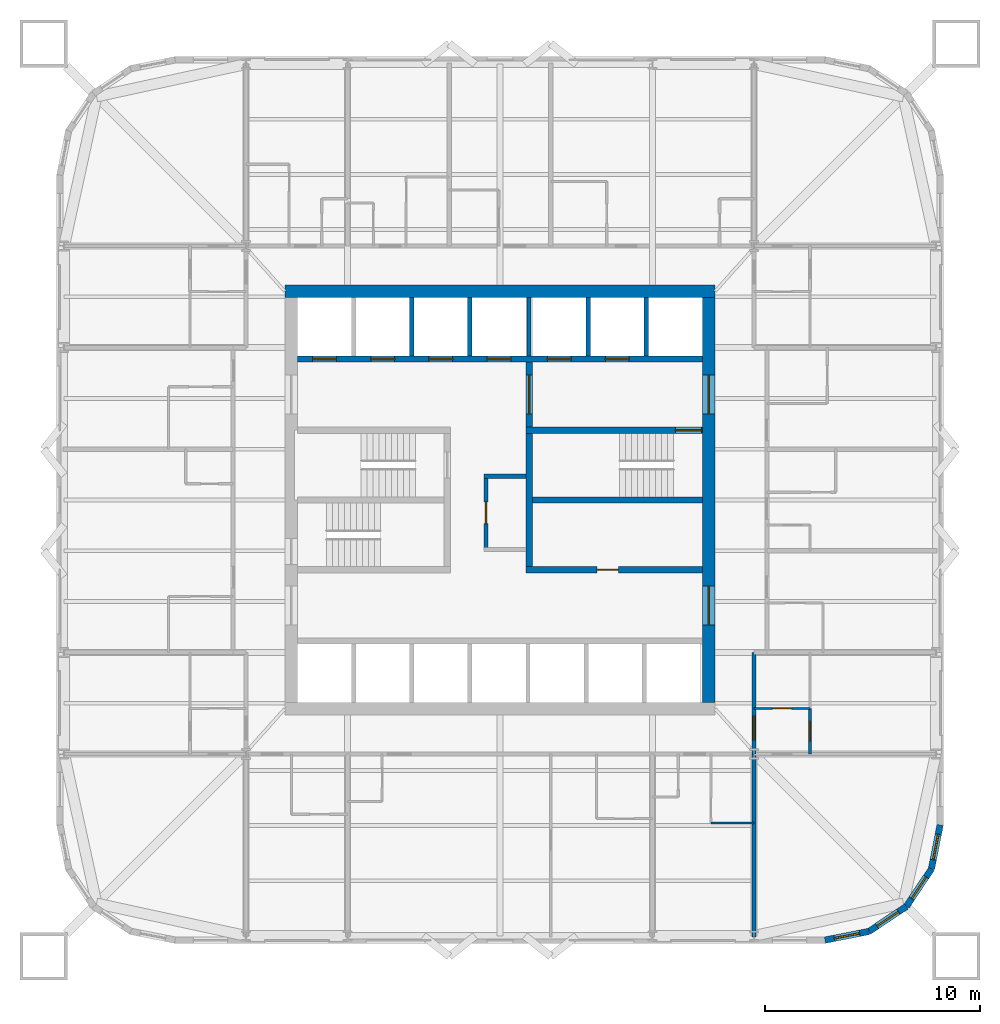
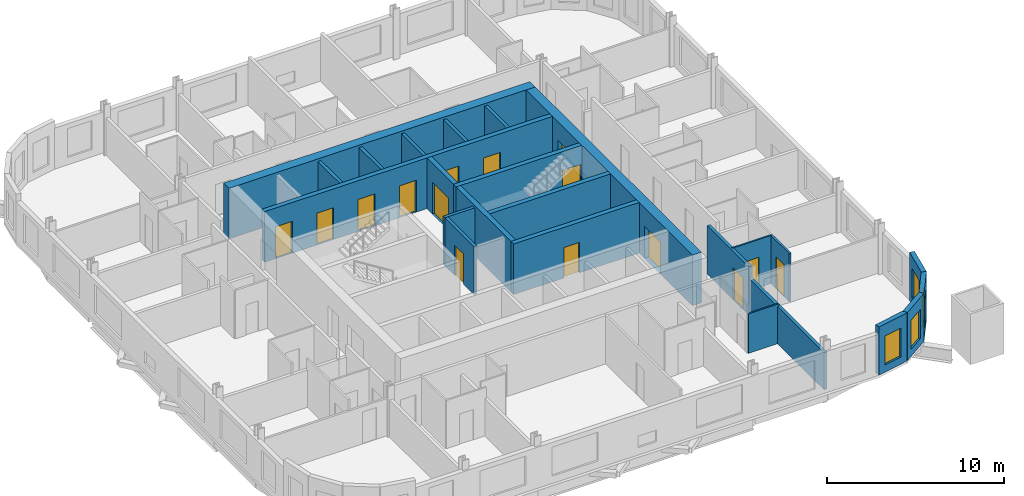
# One storey, part 5 of 9: 23 walls, 15 doors, 4 windows, 19 openings.
"""IFC4 building model written with IfcOpenShell, lengths in metres."""

from ifc_helpers import new_model, si_unit, direction, frame, frame_2d, origin, place, context, subcontext, project, spatial, rectangle, extrude, material, layer, layer_set, type_object, element, fill, save


model = new_model("IFC4")

# Units and contexts
model_context = context("Model", 3, precision=1e-05, world=origin(), true_north=direction((0.0, 1.0)))
body_context = subcontext(model_context, "Body", "Model", "MODEL_VIEW")
ifc_project = project(units=[si_unit("LENGTHUNIT", "METRE"), si_unit("AREAUNIT", "SQUARE_METRE"), si_unit("VOLUMEUNIT", "CUBIC_METRE"), si_unit("PLANEANGLEUNIT", "RADIAN"), si_unit("MASSUNIT", "GRAM", prefix="KILO")], contexts=[model_context])

# Site, building, storey
site_placement = place(None, origin())
site = spatial("IfcSite", under=ifc_project, at=site_placement, CompositionType="ELEMENT")
building_placement = place(site_placement, origin())
building = spatial("IfcBuilding", under=site, at=building_placement, Name="Turquesa Mirador Hotel Tower", CompositionType="ELEMENT")
storey_placement = place(building_placement, frame((0.0, 0.0, 121.39990234375)))
storey = spatial("IfcBuildingStorey", under=building, at=storey_placement, Name="L32", CompositionType="ELEMENT", Elevation=121.39990234375)

# Wall
ifc_material_1 = material(Name="Gypsum board on steel studs", Category="steel")
ifc_layer_1 = layer(ifc_material_1, 0.10009765625)
ifc_layer_set_1 = layer_set([ifc_layer_1], Name="BATHROOM WALL 100")
wall_type_1 = type_object("IfcWallType", Name="BATHROOM WALL 100", PredefinedType="PARTITIONING", material=ifc_layer_set_1)
wall_1_placement = place(storey_placement, frame((64.800048828125, 30.0, 0.0), z_axis=(0.0, 0.0, 1.0), x_axis=(1.0, 0.0, 0.0)))
element("IfcWall", 1, at=wall_1_placement, inside=storey, type_object=wall_type_1, Name="Partition L32 009", PredefinedType="PARTITIONING", context=body_context, shape_type="SweptSolid", body=[
    extrude(rectangle(XDim=2.0, YDim=0.10009765625, at=frame_2d((1.0, 0.0))), origin(), (0.0, 0.0, 1.0), 2.730712890625),
])

# Wall, opening, door
wall_2_placement = place(storey_placement, frame((66.800048828125, 35.320068359375, 0.0), z_axis=(0.0, 0.0, 1.0), x_axis=(1.0, 0.0, 0.0)))
wall_2 = element("IfcWall", 2, at=wall_2_placement, inside=storey, type_object=wall_type_1, Name="Partition L32 018", PredefinedType="PARTITIONING", context=body_context, shape_type="SweptSolid", body=[
    extrude(rectangle(XDim=2.599853515625, YDim=0.10009765625, at=frame_2d((1.2998046875, 0.0))), origin(), (0.0, 0.0, 1.0), 3.330078125),
])
opening_1_placement = place(wall_2_placement, frame((0.85009765625, 0.0, 0.0)))
opening_1 = element("IfcOpeningElement", 3, at=opening_1_placement, cuts=wall_2, Name="Opening D02", PredefinedType="OPENING", context=body_context, shape_type="SweptSolid", body=[
    extrude(rectangle(XDim=0.89990234375, YDim=2.10009765625, at=frame_2d((0.449951171875, 1.050048828125))), frame((0.0, 0.06005859375, 0.0), z_axis=(0.0, -1.0, 0.0), x_axis=(1.0, 0.0, 0.0)), (0.0, 0.0, 1.0), 0.1201171875),
])
ifc_material_2 = material(Name="Timber veneered door", Category="wood")
door_type_1 = type_object("IfcDoorType", Name="DOOR 900X2100 EN-SUITE", OperationType="SINGLE_SWING_RIGHT", PredefinedType="DOOR", material=ifc_material_2)
door_1_placement = place(opening_1_placement, origin())
door_1 = element("IfcDoor", 4, at=door_1_placement, inside=storey, type_object=door_type_1, Name="Door 3216B", OperationType="SINGLE_SWING_RIGHT", OverallHeight=2.10009765625, OverallWidth=0.89990234375, PredefinedType="DOOR", context=body_context, shape_type="SweptSolid", body=[
    extrude(rectangle(XDim=0.89990234375, YDim=2.10009765625, at=frame_2d((0.449951171875, 1.050048828125))), frame((0.0, 0.02490234375, 0.0), z_axis=(0.0, -1.0, 0.0), x_axis=(1.0, 0.0, 0.0)), (0.0, 0.0, 1.0), 0.050048828125),
])
fill(opening_1, door_1)

# Wall, openings, doors
ifc_material_3 = material(Name="Concrete C50/60", Category="concrete")
ifc_layer_2 = layer(ifc_material_3, 0.300048828125)
ifc_layer_set_2 = layer_set([ifc_layer_2], Name="CORE INNER WALL 300")
wall_type_2 = type_object("IfcWallType", Name="CORE INNER WALL 300", PredefinedType="SHEAR", material=ifc_layer_set_2)
wall_3_placement = place(storey_placement, frame((45.60009765625, 51.550048828125, 0.0), z_axis=(0.0, 0.0, 1.0), x_axis=(1.0, 0.0, 0.0)))
wall_3 = element("IfcWall", 5, at=wall_3_placement, inside=storey, type_object=wall_type_2, Name="Core wall NL", PredefinedType="SHEAR", context=body_context, shape_type="SweptSolid", body=[
    extrude(rectangle(XDim=18.7998046875, YDim=0.300048828125, at=frame_2d((9.39990234375, 0.0))), origin(), (0.0, 0.0, 1.0), 3.5),
])
opening_2_placement = place(wall_3_placement, frame((0.699951171875, 0.0, 0.0)))
opening_2 = element("IfcOpeningElement", 6, at=opening_2_placement, cuts=wall_3, Name="Opening LD", PredefinedType="OPENING", context=body_context, shape_type="SweptSolid", body=[
    extrude(rectangle(XDim=1.10009765625, YDim=2.199951171875, at=frame_2d((0.550048828125, 1.10009765625))), frame((0.0, 0.159912109375, 0.0), z_axis=(0.0, -1.0, 0.0), x_axis=(1.0, 0.0, 0.0)), (0.0, 0.0, 1.0), 0.320068359375),
])
opening_3_placement = place(wall_3_placement, frame((3.39990234375, 0.0, 0.0)))
opening_3 = element("IfcOpeningElement", 7, at=opening_3_placement, cuts=wall_3, Name="Opening LD", PredefinedType="OPENING", context=body_context, shape_type="SweptSolid", body=[
    extrude(rectangle(XDim=1.10009765625, YDim=2.199951171875, at=frame_2d((0.550048828125, 1.10009765625))), frame((0.0, 0.159912109375, 0.0), z_axis=(0.0, -1.0, 0.0), x_axis=(1.0, 0.0, 0.0)), (0.0, 0.0, 1.0), 0.320068359375),
])
opening_4_placement = place(wall_3_placement, frame((6.10009765625, 0.0, 0.0)))
opening_4 = element("IfcOpeningElement", 8, at=opening_4_placement, cuts=wall_3, Name="Opening LD", PredefinedType="OPENING", context=body_context, shape_type="SweptSolid", body=[
    extrude(rectangle(XDim=1.10009765625, YDim=2.199951171875, at=frame_2d((0.550048828125, 1.10009765625))), frame((0.0, 0.159912109375, 0.0), z_axis=(0.0, -1.0, 0.0), x_axis=(1.0, 0.0, 0.0)), (0.0, 0.0, 1.0), 0.320068359375),
])
opening_5_placement = place(wall_3_placement, frame((8.800048828125, 0.0, 0.0)))
opening_5 = element("IfcOpeningElement", 9, at=opening_5_placement, cuts=wall_3, Name="Opening LD", PredefinedType="OPENING", context=body_context, shape_type="SweptSolid", body=[
    extrude(rectangle(XDim=1.10009765625, YDim=2.199951171875, at=frame_2d((0.550048828125, 1.10009765625))), frame((0.0, 0.159912109375, 0.0), z_axis=(0.0, -1.0, 0.0), x_axis=(1.0, 0.0, 0.0)), (0.0, 0.0, 1.0), 0.320068359375),
])
opening_6_placement = place(wall_3_placement, frame((11.60009765625, 0.0, 0.0)))
opening_6 = element("IfcOpeningElement", 10, at=opening_6_placement, cuts=wall_3, Name="Opening LD", PredefinedType="OPENING", context=body_context, shape_type="SweptSolid", body=[
    extrude(rectangle(XDim=1.10009765625, YDim=2.199951171875, at=frame_2d((0.550048828125, 1.10009765625))), frame((0.0, 0.159912109375, 0.0), z_axis=(0.0, -1.0, 0.0), x_axis=(1.0, 0.0, 0.0)), (0.0, 0.0, 1.0), 0.320068359375),
])
opening_7_placement = place(wall_3_placement, frame((14.300048828125, 0.0, 0.0)))
opening_7 = element("IfcOpeningElement", 11, at=opening_7_placement, cuts=wall_3, Name="Opening LD", PredefinedType="OPENING", context=body_context, shape_type="SweptSolid", body=[
    extrude(rectangle(XDim=1.10009765625, YDim=2.199951171875, at=frame_2d((0.550048828125, 1.10009765625))), frame((0.0, 0.159912109375, 0.0), z_axis=(0.0, -1.0, 0.0), x_axis=(1.0, 0.0, 0.0)), (0.0, 0.0, 1.0), 0.320068359375),
])
ifc_material_4 = material(Name="Stainless steel lift landing door", Category="steel")
door_type_2 = type_object("IfcDoorType", Name="LIFT LANDING DOOR 1100X2200", OperationType="SLIDING_TO_LEFT", PredefinedType="DOOR", material=ifc_material_4)
door_2_placement = place(opening_2_placement, origin())
door_2 = element("IfcDoor", 12, at=door_2_placement, inside=storey, type_object=door_type_2, Name="Lift A1 landing door", OperationType="SLIDING_TO_LEFT", OverallHeight=2.199951171875, OverallWidth=1.10009765625, PredefinedType="DOOR", context=body_context, shape_type="SweptSolid", body=[
    extrude(rectangle(XDim=1.10009765625, YDim=2.199951171875, at=frame_2d((0.550048828125, 1.10009765625))), frame((0.0, 0.02490234375, 0.0), z_axis=(0.0, -1.0, 0.0), x_axis=(1.0, 0.0, 0.0)), (0.0, 0.0, 1.0), 0.050048828125),
])
fill(opening_2, door_2)
door_3_placement = place(opening_3_placement, origin())
door_3 = element("IfcDoor", 13, at=door_3_placement, inside=storey, type_object=door_type_2, Name="Lift A2 landing door", OperationType="SLIDING_TO_LEFT", OverallHeight=2.199951171875, OverallWidth=1.10009765625, PredefinedType="DOOR", context=body_context, shape_type="SweptSolid", body=[
    extrude(rectangle(XDim=1.10009765625, YDim=2.199951171875, at=frame_2d((0.550048828125, 1.10009765625))), frame((0.0, 0.02490234375, 0.0), z_axis=(0.0, -1.0, 0.0), x_axis=(1.0, 0.0, 0.0)), (0.0, 0.0, 1.0), 0.050048828125),
])
fill(opening_3, door_3)
door_4_placement = place(opening_4_placement, origin())
door_4 = element("IfcDoor", 14, at=door_4_placement, inside=storey, type_object=door_type_2, Name="Lift A3 landing door", OperationType="SLIDING_TO_LEFT", OverallHeight=2.199951171875, OverallWidth=1.10009765625, PredefinedType="DOOR", context=body_context, shape_type="SweptSolid", body=[
    extrude(rectangle(XDim=1.10009765625, YDim=2.199951171875, at=frame_2d((0.550048828125, 1.10009765625))), frame((0.0, 0.02490234375, 0.0), z_axis=(0.0, -1.0, 0.0), x_axis=(1.0, 0.0, 0.0)), (0.0, 0.0, 1.0), 0.050048828125),
])
fill(opening_4, door_4)
door_5_placement = place(opening_5_placement, origin())
door_5 = element("IfcDoor", 15, at=door_5_placement, inside=storey, type_object=door_type_2, Name="Lift A4 landing door", OperationType="SLIDING_TO_LEFT", OverallHeight=2.199951171875, OverallWidth=1.10009765625, PredefinedType="DOOR", context=body_context, shape_type="SweptSolid", body=[
    extrude(rectangle(XDim=1.10009765625, YDim=2.199951171875, at=frame_2d((0.550048828125, 1.10009765625))), frame((0.0, 0.02490234375, 0.0), z_axis=(0.0, -1.0, 0.0), x_axis=(1.0, 0.0, 0.0)), (0.0, 0.0, 1.0), 0.050048828125),
])
fill(opening_5, door_5)
door_6_placement = place(opening_6_placement, origin())
door_6 = element("IfcDoor", 16, at=door_6_placement, inside=storey, type_object=door_type_2, Name="Lift S1 landing door", OperationType="SLIDING_TO_LEFT", OverallHeight=2.199951171875, OverallWidth=1.10009765625, PredefinedType="DOOR", context=body_context, shape_type="SweptSolid", body=[
    extrude(rectangle(XDim=1.10009765625, YDim=2.199951171875, at=frame_2d((0.550048828125, 1.10009765625))), frame((0.0, 0.02490234375, 0.0), z_axis=(0.0, -1.0, 0.0), x_axis=(1.0, 0.0, 0.0)), (0.0, 0.0, 1.0), 0.050048828125),
])
fill(opening_6, door_6)
door_7_placement = place(opening_7_placement, origin())
door_7 = element("IfcDoor", 17, at=door_7_placement, inside=storey, type_object=door_type_2, Name="Lift S2 landing door", OperationType="SLIDING_TO_LEFT", OverallHeight=2.199951171875, OverallWidth=1.10009765625, PredefinedType="DOOR", context=body_context, shape_type="SweptSolid", body=[
    extrude(rectangle(XDim=1.10009765625, YDim=2.199951171875, at=frame_2d((0.550048828125, 1.10009765625))), frame((0.0, 0.02490234375, 0.0), z_axis=(0.0, -1.0, 0.0), x_axis=(1.0, 0.0, 0.0)), (0.0, 0.0, 1.0), 0.050048828125),
])
fill(opening_7, door_7)

# Wall, opening, door
wall_4_placement = place(storey_placement, frame((56.199951171875, 48.25, 0.0), z_axis=(0.0, 0.0, 1.0), x_axis=(1.0, 0.0, 0.0)))
wall_4 = element("IfcWall", 18, at=wall_4_placement, inside=storey, type_object=wall_type_2, Name="Core wall MN-E", PredefinedType="SHEAR", context=body_context, shape_type="SweptSolid", body=[
    extrude(rectangle(XDim=8.199951171875, YDim=0.300048828125, at=frame_2d((4.10009765625, 0.0))), origin(), (0.0, 0.0, 1.0), 3.5),
])
opening_8_placement = place(wall_4_placement, frame((6.949951171875, 0.0, 0.0)))
opening_8 = element("IfcOpeningElement", 19, at=opening_8_placement, cuts=wall_4, Name="Opening D03", PredefinedType="OPENING", context=body_context, shape_type="SweptSolid", body=[
    extrude(rectangle(XDim=1.199951171875, YDim=2.199951171875, at=frame_2d((0.60009765625, 1.10009765625))), frame((0.0, 0.159912109375, 0.0), z_axis=(0.0, -1.0, 0.0), x_axis=(1.0, 0.0, 0.0)), (0.0, 0.0, 1.0), 0.320068359375),
])
ifc_material_5 = material(Name="Steel fire door", Category="steel")
door_type_3 = type_object("IfcDoorType", Name="DOOR 1200X2200 STAIR", OperationType="SINGLE_SWING_LEFT", PredefinedType="DOOR", material=ifc_material_5)
door_8_placement = place(opening_8_placement, origin())
door_8 = element("IfcDoor", 20, at=door_8_placement, inside=storey, type_object=door_type_3, Name="Stair ST3 door", OperationType="SINGLE_SWING_LEFT", OverallHeight=2.199951171875, OverallWidth=1.199951171875, PredefinedType="DOOR", context=body_context, shape_type="SweptSolid", body=[
    extrude(rectangle(XDim=1.199951171875, YDim=2.199951171875, at=frame_2d((0.60009765625, 1.10009765625))), frame((0.0, 0.02490234375, 0.0), z_axis=(0.0, -1.0, 0.0), x_axis=(1.0, 0.0, 0.0)), (0.0, 0.0, 1.0), 0.050048828125),
])
fill(opening_8, door_8)

wall_5_placement = place(storey_placement, frame((56.199951171875, 41.75, 0.0), z_axis=(0.0, 0.0, 1.0), x_axis=(1.0, 0.0, 0.0)))
wall_5 = element("IfcWall", 21, at=wall_5_placement, inside=storey, type_object=wall_type_2, Name="Core wall MS-E", PredefinedType="SHEAR", context=body_context, shape_type="SweptSolid", body=[
    extrude(rectangle(XDim=8.199951171875, YDim=0.300048828125, at=frame_2d((4.10009765625, 0.0))), origin(), (0.0, 0.0, 1.0), 3.5),
])
opening_9_placement = place(wall_5_placement, frame((3.300048828125, 0.0, 0.0)))
opening_9 = element("IfcOpeningElement", 22, at=opening_9_placement, cuts=wall_5, Name="Opening D05", PredefinedType="OPENING", context=body_context, shape_type="SweptSolid", body=[
    extrude(rectangle(XDim=1.0, YDim=2.10009765625, at=frame_2d((0.5, 1.050048828125))), frame((0.0, 0.159912109375, 0.0), z_axis=(0.0, -1.0, 0.0), x_axis=(1.0, 0.0, 0.0)), (0.0, 0.0, 1.0), 0.320068359375),
])
ifc_material_6 = material(Name="Steel fire door", Category="steel")
door_type_4 = type_object("IfcDoorType", Name="DOOR 1000X2100 SERVICE", OperationType="SINGLE_SWING_LEFT", PredefinedType="DOOR", material=ifc_material_6)
door_9_placement = place(opening_9_placement, origin())
door_9 = element("IfcDoor", 23, at=door_9_placement, inside=storey, type_object=door_type_4, Name="Housekeeping room door", OperationType="SINGLE_SWING_LEFT", OverallHeight=2.10009765625, OverallWidth=1.0, PredefinedType="DOOR", context=body_context, shape_type="SweptSolid", body=[
    extrude(rectangle(XDim=1.0, YDim=2.10009765625, at=frame_2d((0.5, 1.050048828125))), frame((0.0, 0.02490234375, 0.0), z_axis=(0.0, -1.0, 0.0), x_axis=(1.0, 0.0, 0.0)), (0.0, 0.0, 1.0), 0.050048828125),
])
fill(opening_9, door_9)

wall_6_placement = place(storey_placement, frame((56.35009765625, 41.89990234375, 0.0), z_axis=(0.0, 0.0, 1.0), x_axis=(0.0, 1.0, 0.0)))
wall_6 = element("IfcWall", 24, at=wall_6_placement, inside=storey, type_object=wall_type_2, Name="Core wall PE", PredefinedType="SHEAR", context=body_context, shape_type="SweptSolid", body=[
    extrude(rectangle(XDim=9.5, YDim=0.300048828125, at=frame_2d((4.75, 0.0))), origin(), (0.0, 0.0, 1.0), 3.5),
])
opening_10_placement = place(wall_6_placement, frame((7.10009765625, 0.0, 0.0)))
opening_10 = element("IfcOpeningElement", 25, at=opening_10_placement, cuts=wall_6, Name="Opening D04", PredefinedType="OPENING", context=body_context, shape_type="SweptSolid", body=[
    extrude(rectangle(XDim=1.800048828125, YDim=2.199951171875, at=frame_2d((0.89990234375, 1.10009765625))), frame((0.0, 0.159912109375, 0.0), z_axis=(0.0, -1.0, 0.0), x_axis=(1.0, 0.0, 0.0)), (0.0, 0.0, 1.0), 0.320068359375),
])
ifc_material_7 = material(Name="Steel fire door pair", Category="steel")
door_type_5 = type_object("IfcDoorType", Name="DOOR 1800X2200 PAIR", OperationType="DOUBLE_DOOR_SINGLE_SWING", PredefinedType="DOOR", material=ifc_material_7)
door_10_placement = place(opening_10_placement, origin())
door_10 = element("IfcDoor", 26, at=door_10_placement, inside=storey, type_object=door_type_5, Name="Firefighting lobby inner door", OperationType="DOUBLE_DOOR_SINGLE_SWING", OverallHeight=2.199951171875, OverallWidth=1.800048828125, PredefinedType="DOOR", context=body_context, shape_type="SweptSolid", body=[
    extrude(rectangle(XDim=1.800048828125, YDim=2.199951171875, at=frame_2d((0.89990234375, 1.10009765625))), frame((0.0, 0.02490234375, 0.0), z_axis=(0.0, -1.0, 0.0), x_axis=(1.0, 0.0, 0.0)), (0.0, 0.0, 1.0), 0.050048828125),
])
fill(opening_10, door_10)

# Walls
wall_7_placement = place(storey_placement, frame((56.5, 45.0, 0.0), z_axis=(0.0, 0.0, 1.0), x_axis=(1.0, 0.0, 0.0)))
element("IfcWall", 27, at=wall_7_placement, inside=storey, type_object=wall_type_2, Name="Core wall M0-E", PredefinedType="SHEAR", context=body_context, shape_type="SweptSolid", body=[
    extrude(rectangle(XDim=7.89990234375, YDim=0.300048828125, at=frame_2d((3.949951171875, 0.0))), origin(), (0.0, 0.0, 1.0), 3.5),
])
ifc_material_8 = material(Name="Concrete C50/60", Category="concrete")
ifc_layer_3 = layer(ifc_material_8, 0.60009765625)
ifc_layer_set_3 = layer_set([ifc_layer_3], Name="CORE WALL 600")
wall_type_3 = type_object("IfcWallType", Name="CORE WALL 600", PredefinedType="SHEAR", material=ifc_layer_set_3)
wall_8_placement = place(storey_placement, frame((45.0, 54.699951171875, 0.0), z_axis=(0.0, 0.0, 1.0), x_axis=(1.0, 0.0, 0.0)))
element("IfcWall", 28, at=wall_8_placement, inside=storey, type_object=wall_type_3, Name="Core wall N", PredefinedType="SHEAR", context=body_context, shape_type="SweptSolid", body=[
    extrude(rectangle(XDim=20.0, YDim=0.60009765625, at=frame_2d((10.0, 0.0))), origin(), (0.0, 0.0, 1.0), 3.5),
])

# Wall, openings, doors
wall_9_placement = place(storey_placement, frame((64.699951171875, 35.60009765625, 0.0), z_axis=(0.0, 0.0, 1.0), x_axis=(0.0, 1.0, 0.0)))
wall_9 = element("IfcWall", 29, at=wall_9_placement, inside=storey, type_object=wall_type_3, Name="Core wall E", PredefinedType="SHEAR", context=body_context, shape_type="SweptSolid", body=[
    extrude(rectangle(XDim=18.7998046875, YDim=0.60009765625, at=frame_2d((9.39990234375, 0.0))), origin(), (0.0, 0.0, 1.0), 3.5),
])
opening_11_placement = place(wall_9_placement, frame((13.39990234375, 0.0, 0.0)))
opening_11 = element("IfcOpeningElement", 30, at=opening_11_placement, cuts=wall_9, Name="Opening D04", PredefinedType="OPENING", context=body_context, shape_type="SweptSolid", body=[
    extrude(rectangle(XDim=1.800048828125, YDim=2.199951171875, at=frame_2d((0.89990234375, 1.10009765625))), frame((0.0, 0.31005859375, 0.0), z_axis=(0.0, -1.0, 0.0), x_axis=(1.0, 0.0, 0.0)), (0.0, 0.0, 1.0), 0.6201171875),
])
opening_12_placement = place(wall_9_placement, frame((3.60009765625, 0.0, 0.0)))
opening_12 = element("IfcOpeningElement", 31, at=opening_12_placement, cuts=wall_9, Name="Opening D04", PredefinedType="OPENING", context=body_context, shape_type="SweptSolid", body=[
    extrude(rectangle(XDim=1.800048828125, YDim=2.199951171875, at=frame_2d((0.89990234375, 1.10009765625))), frame((0.0, 0.31005859375, 0.0), z_axis=(0.0, -1.0, 0.0), x_axis=(1.0, 0.0, 0.0)), (0.0, 0.0, 1.0), 0.6201171875),
])
door_11_placement = place(opening_11_placement, origin())
door_11 = element("IfcDoor", 32, at=door_11_placement, inside=storey, type_object=door_type_5, Name="Firefighting lobby door", OperationType="DOUBLE_DOOR_SINGLE_SWING", OverallHeight=2.199951171875, OverallWidth=1.800048828125, PredefinedType="DOOR", context=body_context, shape_type="SweptSolid", body=[
    extrude(rectangle(XDim=1.800048828125, YDim=2.199951171875, at=frame_2d((0.89990234375, 1.10009765625))), frame((0.0, 0.02490234375, 0.0), z_axis=(0.0, -1.0, 0.0), x_axis=(1.0, 0.0, 0.0)), (0.0, 0.0, 1.0), 0.050048828125),
])
fill(opening_11, door_11)
door_12_placement = place(opening_12_placement, origin())
door_12 = element("IfcDoor", 33, at=door_12_placement, inside=storey, type_object=door_type_5, Name="South lift lobby door", OperationType="DOUBLE_DOOR_SINGLE_SWING", OverallHeight=2.199951171875, OverallWidth=1.800048828125, PredefinedType="DOOR", context=body_context, shape_type="SweptSolid", body=[
    extrude(rectangle(XDim=1.800048828125, YDim=2.199951171875, at=frame_2d((0.89990234375, 1.10009765625))), frame((0.0, 0.02490234375, 0.0), z_axis=(0.0, -1.0, 0.0), x_axis=(1.0, 0.0, 0.0)), (0.0, 0.0, 1.0), 0.050048828125),
])
fill(opening_12, door_12)

# Wall, opening, door
ifc_material_9 = material(Name="Fire-rated gypsum board on steel studs", Category="steel")
ifc_layer_4 = layer(ifc_material_9, 0.199951171875)
ifc_layer_set_4 = layer_set([ifc_layer_4], Name="CORRIDOR WALL 200")
wall_type_4 = type_object("IfcWallType", Name="CORRIDOR WALL 200", PredefinedType="PARTITIONING", material=ifc_layer_set_4)
wall_10_placement = place(storey_placement, frame((66.800048828125, 33.199951171875, 0.0), z_axis=(0.0, 0.0, 1.0), x_axis=(0.0, 1.0, 0.0)))
wall_10 = element("IfcWall", 34, at=wall_10_placement, inside=storey, type_object=wall_type_4, Name="Partition L32 065", PredefinedType="PARTITIONING", context=body_context, shape_type="SweptSolid", body=[
    extrude(rectangle(XDim=4.719970703125, YDim=0.199951171875, at=frame_2d((2.35986328125, 0.0))), origin(), (0.0, 0.0, 1.0), 3.330078125),
])
opening_13_placement = place(wall_10_placement, frame((0.659912109375, 0.0, 0.0)))
opening_13 = element("IfcOpeningElement", 35, at=opening_13_placement, cuts=wall_10, Name="Opening D15", PredefinedType="OPENING", context=body_context, shape_type="SweptSolid", body=[
    extrude(rectangle(XDim=1.10009765625, YDim=2.199951171875, at=frame_2d((0.550048828125, 1.10009765625))), frame((0.0, 0.10986328125, 0.0), z_axis=(0.0, -1.0, 0.0), x_axis=(1.0, 0.0, 0.0)), (0.0, 0.0, 1.0), 0.219970703125),
])
ifc_material_10 = material(Name="Timber veneered fire door", Category="wood")
door_type_6 = type_object("IfcDoorType", Name="DOOR 1100X2200 SUITE ENTRY", OperationType="SINGLE_SWING_LEFT", PredefinedType="DOOR", material=ifc_material_10)
door_13_placement = place(opening_13_placement, origin())
door_13 = element("IfcDoor", 36, at=door_13_placement, inside=storey, type_object=door_type_6, Name="Door 3216H", OperationType="SINGLE_SWING_LEFT", OverallHeight=2.199951171875, OverallWidth=1.10009765625, PredefinedType="DOOR", context=body_context, shape_type="SweptSolid", body=[
    extrude(rectangle(XDim=1.10009765625, YDim=2.199951171875, at=frame_2d((0.550048828125, 1.10009765625))), frame((0.0, 0.02490234375, 0.0), z_axis=(0.0, -1.0, 0.0), x_axis=(1.0, 0.0, 0.0)), (0.0, 0.0, 1.0), 0.050048828125),
])
fill(opening_13, door_13)

# Wall, opening, window
ifc_material_11 = material(Name="Limestone cladding on concrete block", Category="masonry")
ifc_layer_5 = layer(ifc_material_11, 0.300048828125)
ifc_layer_set_5 = layer_set([ifc_layer_5], Name="FACADE WALL 300 STONE SCREEN")
wall_type_5 = type_object("IfcWallType", Name="FACADE WALL 300 STONE SCREEN", PredefinedType="SOLIDWALL", material=ifc_layer_set_5)
wall_11_placement = place(storey_placement, frame((70.10009765625, 24.550048828125, 0.0), z_axis=(0.0, 0.0, 1.0), x_axis=(0.980787050784, 0.195081421501, 0.0)))
wall_11 = element("IfcWall", 37, at=wall_11_placement, inside=storey, type_object=wall_type_5, Name="Facade wall L32 00", PredefinedType="SOLIDWALL", context=body_context, shape_type="SweptSolid", body=[
    extrude(rectangle(XDim=2.08740234375, YDim=0.300048828125, at=frame_2d((1.043701171875, 0.0))), origin(), (0.0, 0.0, 1.0), 3.330078125),
])
opening_14_placement = place(wall_11_placement, frame((0.443603515625, 0.0, 0.5)))
opening_14 = element("IfcOpeningElement", 38, at=opening_14_placement, cuts=wall_11, Name="Opening WN4", PredefinedType="OPENING", context=body_context, shape_type="SweptSolid", body=[
    extrude(rectangle(XDim=1.199951171875, YDim=2.0, at=frame_2d((0.60009765625, 1.0))), frame((0.0, 0.159912109375, 0.0), z_axis=(0.0, -1.0, 0.0), x_axis=(1.0, 0.0, 0.0)), (0.0, 0.0, 1.0), 0.320068359375),
])
ifc_material_12 = material(Name="Ceramic-fritted laminated glass", Category="glass")
window_type = type_object("IfcWindowType", Name="FRITTED CORNER WINDOW 1200X2000", PartitioningType="DOUBLE_PANEL_HORIZONTAL", PredefinedType="WINDOW", material=ifc_material_12)
window_1_placement = place(opening_14_placement, origin())
window_1 = element("IfcWindow", 39, at=window_1_placement, inside=storey, type_object=window_type, Name="Window L32", OverallHeight=2.0, OverallWidth=1.199951171875, PartitioningType="SINGLE_PANEL", PredefinedType="WINDOW", context=body_context, shape_type="SweptSolid", body=[
    extrude(rectangle(XDim=1.199951171875, YDim=2.0, at=frame_2d((0.60009765625, 1.0))), frame((0.0, 0.030029296875, 0.0), z_axis=(0.0, -1.0, 0.0), x_axis=(1.0, 0.0, 0.0)), (0.0, 0.0, 1.0), 0.06005859375),
])
fill(opening_14, window_1)

wall_12_placement = place(storey_placement, frame((72.1474609375, 24.957275390625, 0.0), z_axis=(0.0, 0.0, 1.0), x_axis=(0.831474039234, 0.555563607591, 0.0)))
wall_12 = element("IfcWall", 40, at=wall_12_placement, inside=storey, type_object=wall_type_5, Name="Facade wall L32 01", PredefinedType="SOLIDWALL", context=body_context, shape_type="SweptSolid", body=[
    extrude(rectangle(XDim=2.08740234375, YDim=0.300048828125, at=frame_2d((1.043701171875, 0.0))), origin(), (0.0, 0.0, 1.0), 3.330078125),
])
opening_15_placement = place(wall_12_placement, frame((0.443603515625, 0.0, 0.5)))
opening_15 = element("IfcOpeningElement", 41, at=opening_15_placement, cuts=wall_12, Name="Opening WN4", PredefinedType="OPENING", context=body_context, shape_type="SweptSolid", body=[
    extrude(rectangle(XDim=1.199951171875, YDim=2.0, at=frame_2d((0.60009765625, 1.0))), frame((0.0, 0.159912109375, 0.0), z_axis=(0.0, -1.0, 0.0), x_axis=(1.0, 0.0, 0.0)), (0.0, 0.0, 1.0), 0.320068359375),
])
window_2_placement = place(opening_15_placement, origin())
window_2 = element("IfcWindow", 42, at=window_2_placement, inside=storey, type_object=window_type, Name="Window L32", OverallHeight=2.0, OverallWidth=1.199951171875, PartitioningType="SINGLE_PANEL", PredefinedType="WINDOW", context=body_context, shape_type="SweptSolid", body=[
    extrude(rectangle(XDim=1.199951171875, YDim=2.0, at=frame_2d((0.60009765625, 1.0))), frame((0.0, 0.030029296875, 0.0), z_axis=(0.0, -1.0, 0.0), x_axis=(1.0, 0.0, 0.0)), (0.0, 0.0, 1.0), 0.06005859375),
])
fill(opening_15, window_2)

wall_13_placement = place(storey_placement, frame((73.883056640625, 26.116943359375, 0.0), z_axis=(0.0, 0.0, 1.0), x_axis=(0.555563607591, 0.831474039234, 0.0)))
wall_13 = element("IfcWall", 43, at=wall_13_placement, inside=storey, type_object=wall_type_5, Name="Facade wall L32 02", PredefinedType="SOLIDWALL", context=body_context, shape_type="SweptSolid", body=[
    extrude(rectangle(XDim=2.08740234375, YDim=0.300048828125, at=frame_2d((1.043701171875, 0.0))), origin(), (0.0, 0.0, 1.0), 3.330078125),
])
opening_16_placement = place(wall_13_placement, frame((0.443603515625, 0.0, 0.5)))
opening_16 = element("IfcOpeningElement", 44, at=opening_16_placement, cuts=wall_13, Name="Opening WN4", PredefinedType="OPENING", context=body_context, shape_type="SweptSolid", body=[
    extrude(rectangle(XDim=1.199951171875, YDim=2.0, at=frame_2d((0.60009765625, 1.0))), frame((0.0, 0.159912109375, 0.0), z_axis=(0.0, -1.0, 0.0), x_axis=(1.0, 0.0, 0.0)), (0.0, 0.0, 1.0), 0.320068359375),
])
window_3_placement = place(opening_16_placement, origin())
window_3 = element("IfcWindow", 45, at=window_3_placement, inside=storey, type_object=window_type, Name="Window L32", OverallHeight=2.0, OverallWidth=1.199951171875, PartitioningType="SINGLE_PANEL", PredefinedType="WINDOW", context=body_context, shape_type="SweptSolid", body=[
    extrude(rectangle(XDim=1.199951171875, YDim=2.0, at=frame_2d((0.60009765625, 1.0))), frame((0.0, 0.030029296875, 0.0), z_axis=(0.0, -1.0, 0.0), x_axis=(1.0, 0.0, 0.0)), (0.0, 0.0, 1.0), 0.06005859375),
])
fill(opening_16, window_3)

wall_14_placement = place(storey_placement, frame((75.042724609375, 27.8525390625, 0.0), z_axis=(0.0, 0.0, 1.0), x_axis=(0.195081421501, 0.980787050784, 0.0)))
wall_14 = element("IfcWall", 46, at=wall_14_placement, inside=storey, type_object=wall_type_5, Name="Facade wall L32 03", PredefinedType="SOLIDWALL", context=body_context, shape_type="SweptSolid", body=[
    extrude(rectangle(XDim=2.08740234375, YDim=0.300048828125, at=frame_2d((1.043701171875, 0.0))), origin(), (0.0, 0.0, 1.0), 3.330078125),
])
opening_17_placement = place(wall_14_placement, frame((0.443603515625, 0.0, 0.5)))
opening_17 = element("IfcOpeningElement", 47, at=opening_17_placement, cuts=wall_14, Name="Opening WN4", PredefinedType="OPENING", context=body_context, shape_type="SweptSolid", body=[
    extrude(rectangle(XDim=1.199951171875, YDim=2.0, at=frame_2d((0.60009765625, 1.0))), frame((0.0, 0.159912109375, 0.0), z_axis=(0.0, -1.0, 0.0), x_axis=(1.0, 0.0, 0.0)), (0.0, 0.0, 1.0), 0.320068359375),
])
window_4_placement = place(opening_17_placement, origin())
window_4 = element("IfcWindow", 48, at=window_4_placement, inside=storey, type_object=window_type, Name="Window L32", OverallHeight=2.0, OverallWidth=1.199951171875, PartitioningType="SINGLE_PANEL", PredefinedType="WINDOW", context=body_context, shape_type="SweptSolid", body=[
    extrude(rectangle(XDim=1.199951171875, YDim=2.0, at=frame_2d((0.60009765625, 1.0))), frame((0.0, 0.030029296875, 0.0), z_axis=(0.0, -1.0, 0.0), x_axis=(1.0, 0.0, 0.0)), (0.0, 0.0, 1.0), 0.06005859375),
])
fill(opening_17, window_4)

# Wall, opening, door
ifc_material_13 = material(Name="Fire-rated gypsum board on steel studs", Category="steel")
ifc_layer_6 = layer(ifc_material_13, 0.199951171875)
ifc_layer_set_6 = layer_set([ifc_layer_6], Name="FIRE PARTITION 200")
wall_type_6 = type_object("IfcWallType", Name="FIRE PARTITION 200", PredefinedType="PARTITIONING", material=ifc_layer_set_6)
wall_15_placement = place(storey_placement, frame((54.35009765625, 42.699951171875, 0.0), z_axis=(0.0, 0.0, 1.0), x_axis=(0.0, 1.0, 0.0)))
wall_15 = element("IfcWall", 49, at=wall_15_placement, inside=storey, type_object=wall_type_6, Name="Partition L32 GL W", PredefinedType="PARTITIONING", context=body_context, shape_type="SweptSolid", body=[
    extrude(rectangle(XDim=3.400146484375, YDim=0.199951171875, at=frame_2d((1.7001953125, 0.0))), origin(), (0.0, 0.0, 1.0), 3.330078125),
])
opening_18_placement = place(wall_15_placement, frame((1.199951171875, 0.0, 0.0)))
opening_18 = element("IfcOpeningElement", 50, at=opening_18_placement, cuts=wall_15, Name="Opening D05", PredefinedType="OPENING", context=body_context, shape_type="SweptSolid", body=[
    extrude(rectangle(XDim=1.0, YDim=2.10009765625, at=frame_2d((0.5, 1.050048828125))), frame((0.0, 0.10986328125, 0.0), z_axis=(0.0, -1.0, 0.0), x_axis=(1.0, 0.0, 0.0)), (0.0, 0.0, 1.0), 0.219970703125),
])
door_14_placement = place(opening_18_placement, origin())
door_14 = element("IfcDoor", 51, at=door_14_placement, inside=storey, type_object=door_type_4, Name="Guest laundry room door", OperationType="SINGLE_SWING_LEFT", OverallHeight=2.10009765625, OverallWidth=1.0, PredefinedType="DOOR", context=body_context, shape_type="SweptSolid", body=[
    extrude(rectangle(XDim=1.0, YDim=2.10009765625, at=frame_2d((0.5, 1.050048828125))), frame((0.0, 0.02490234375, 0.0), z_axis=(0.0, -1.0, 0.0), x_axis=(1.0, 0.0, 0.0)), (0.0, 0.0, 1.0), 0.050048828125),
])
fill(opening_18, door_14)

# Walls
wall_16_placement = place(storey_placement, frame((54.25, 46.10009765625, 0.0), z_axis=(0.0, 0.0, 1.0), x_axis=(1.0, 0.0, 0.0)))
element("IfcWall", 52, at=wall_16_placement, inside=storey, type_object=wall_type_6, Name="Partition L32 GL N", PredefinedType="PARTITIONING", context=body_context, shape_type="SweptSolid", body=[
    extrude(rectangle(XDim=1.949951171875, YDim=0.199951171875, at=frame_2d((0.97509765625, 0.0))), origin(), (0.0, 0.0, 1.0), 3.330078125),
])
ifc_material_14 = material(Name="Fire-rated gypsum shaft wall on steel studs", Category="steel")
ifc_layer_7 = layer(ifc_material_14, 0.199951171875)
ifc_layer_set_7 = layer_set([ifc_layer_7], Name="LIFT SHAFT DIVIDER 200")
wall_type_7 = type_object("IfcWallType", Name="LIFT SHAFT DIVIDER 200", PredefinedType="PARTITIONING", material=ifc_layer_set_7)
for number, where, z_axis, x_axis, name in (
    (53, (50.89990234375, 51.699951171875, 0.0), (0.0, 0.0, 1.0), (0.0, 1.0, 0.0), "Lift shaft divider"),
    (54, (53.60009765625, 51.699951171875, 0.0), (0.0, 0.0, 1.0), (0.0, 1.0, 0.0), "Lift shaft divider"),
    (55, (59.10009765625, 51.699951171875, 0.0), (0.0, 0.0, 1.0), (0.0, 1.0, 0.0), "Lift shaft divider"),
    (56, (61.800048828125, 51.699951171875, 0.0), (0.0, 0.0, 1.0), (0.0, 1.0, 0.0), "Lift shaft divider"),
    (57, (56.35009765625, 51.699951171875, 0.0), (0.0, 0.0, 1.0), (0.0, 1.0, 0.0), "Lift shaft divider"),
):
    element("IfcWall", number, at=place(storey_placement, frame(where, z_axis=z_axis, x_axis=x_axis)), inside=storey, type_object=wall_type_7, Name=name, PredefinedType="PARTITIONING", context=body_context, shape_type="SweptSolid", body=[
        extrude(rectangle(XDim=2.699951171875, YDim=0.199951171875, at=frame_2d((1.35009765625, 0.0))), origin(), (0.0, 0.0, 1.0), 3.330078125),
    ])
ifc_material_15 = material(Name="Fire-rated gypsum board on steel studs", Category="steel")
ifc_layer_8 = layer(ifc_material_15, 0.199951171875)
ifc_layer_set_8 = layer_set([ifc_layer_8], Name="PARTY WALL 200")
wall_type_8 = type_object("IfcWallType", Name="PARTY WALL 200", PredefinedType="PARTITIONING", material=ifc_layer_set_8)
wall_17_placement = place(storey_placement, frame((66.800048828125, 24.699951171875, 0.0), z_axis=(0.0, 0.0, 1.0), x_axis=(0.0, 1.0, 0.0)))
element("IfcWall", 58, at=wall_17_placement, inside=storey, type_object=wall_type_8, Name="Partition L32 067", PredefinedType="PARTITIONING", context=body_context, shape_type="SweptSolid", body=[
    extrude(rectangle(XDim=8.5, YDim=0.199951171875, at=frame_2d((4.25, 0.0))), origin(), (0.0, 0.0, 1.0), 2.5732421875),
])

# Wall, opening, door
ifc_material_16 = material(Name="Acoustic gypsum board on steel studs", Category="steel")
ifc_layer_9 = layer(ifc_material_16, 0.125)
ifc_layer_set_9 = layer_set([ifc_layer_9], Name="SUITE PARTITION 125")
wall_type_9 = type_object("IfcWallType", Name="SUITE PARTITION 125", PredefinedType="PARTITIONING", material=ifc_layer_set_9)
wall_18_placement = place(storey_placement, frame((69.39990234375, 33.199951171875, 0.0), z_axis=(0.0, 0.0, 1.0), x_axis=(0.0, 1.0, 0.0)))
wall_18 = element("IfcWall", 59, at=wall_18_placement, inside=storey, type_object=wall_type_9, Name="Partition L32 073", PredefinedType="PARTITIONING", context=body_context, shape_type="SweptSolid", body=[
    extrude(rectangle(XDim=2.1201171875, YDim=0.125, at=frame_2d((1.06005859375, 0.0))), origin(), (0.0, 0.0, 1.0), 3.330078125),
])
opening_19_placement = place(wall_18_placement, frame((0.610107421875, 0.0, 0.0)))
opening_19 = element("IfcOpeningElement", 60, at=opening_19_placement, cuts=wall_18, Name="Opening D17", PredefinedType="OPENING", context=body_context, shape_type="SweptSolid", body=[
    extrude(rectangle(XDim=0.89990234375, YDim=2.199951171875, at=frame_2d((0.449951171875, 1.10009765625))), frame((0.0, 0.072509765625, 0.0), z_axis=(0.0, -1.0, 0.0), x_axis=(1.0, 0.0, 0.0)), (0.0, 0.0, 1.0), 0.14501953125),
])
ifc_material_17 = material(Name="Timber veneered door", Category="wood")
door_type_7 = type_object("IfcDoorType", Name="DOOR 900X2200 SUITE INTERNAL", OperationType="SINGLE_SWING_LEFT", PredefinedType="DOOR", material=ifc_material_17)
door_15_placement = place(opening_19_placement, origin())
door_15 = element("IfcDoor", 61, at=door_15_placement, inside=storey, type_object=door_type_7, Name="Door 3216R", OperationType="SINGLE_SWING_LEFT", OverallHeight=2.199951171875, OverallWidth=0.89990234375, PredefinedType="DOOR", context=body_context, shape_type="SweptSolid", body=[
    extrude(rectangle(XDim=0.89990234375, YDim=2.199951171875, at=frame_2d((0.449951171875, 1.10009765625))), frame((0.0, 0.02490234375, 0.0), z_axis=(0.0, -1.0, 0.0), x_axis=(1.0, 0.0, 0.0)), (0.0, 0.0, 1.0), 0.050048828125),
])
fill(opening_19, door_15)

save(model, "model.ifc")
